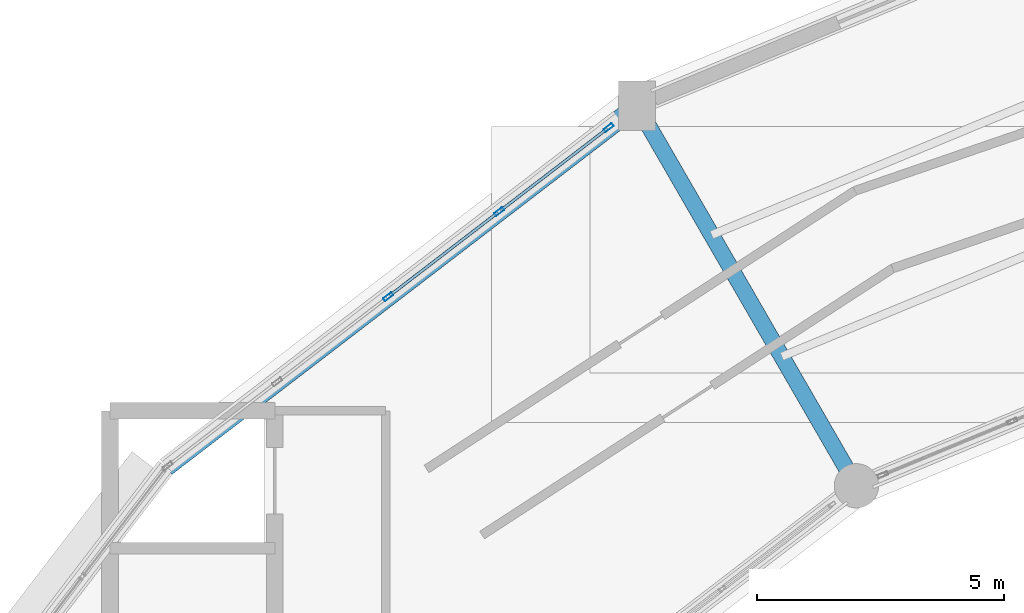
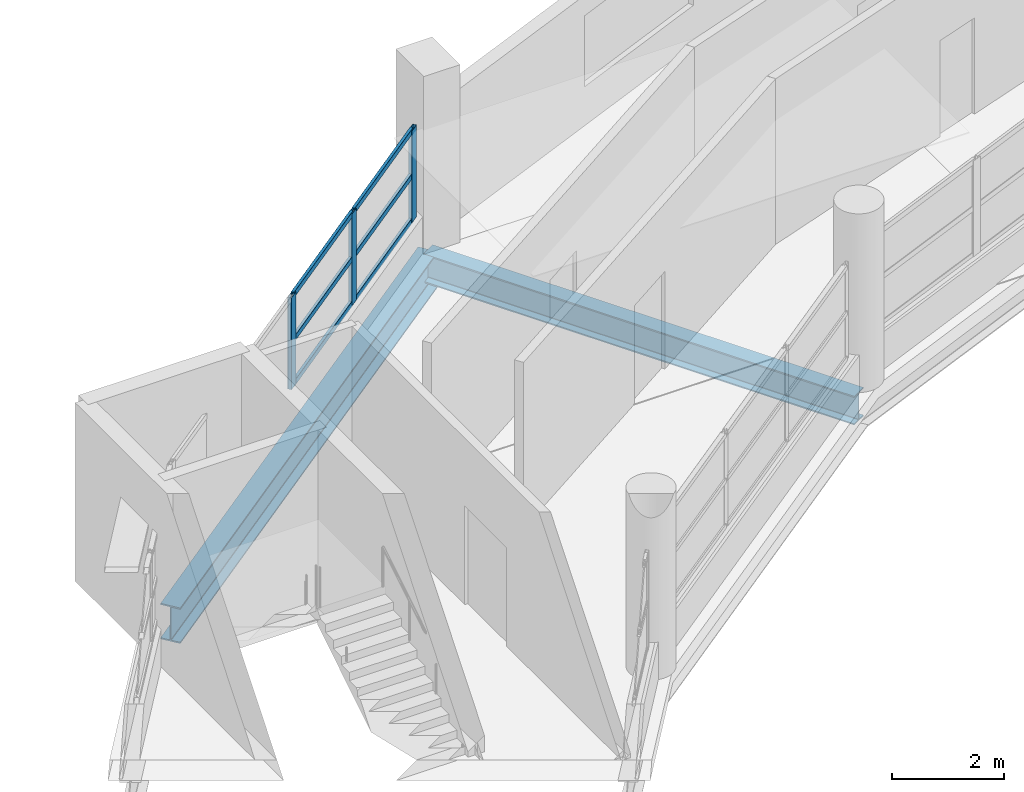
# One storey, part 40 of 88: 9 members, 2 beams, 1 element without a shape of its own.
"""IFC4 building model written with IfcOpenShell, lengths in metres."""

from ifc_helpers import new_model, si_unit, direction, frame, origin, origin_2d, place, context, subcontext, project, spatial, hollow_rectangle, i_section, extrude, material, layer, layer_set, material_profile, profile_set, type_object, element, aggregate, save


model = new_model("IFC4")

# Units and contexts
model_context = context("Model", 3, precision=1e-05, world=origin(), true_north=direction((0.0, 1.0)))
body_context = subcontext(model_context, "Body", "Model", "MODEL_VIEW")
ifc_project = project(units=[si_unit("LENGTHUNIT", "METRE"), si_unit("AREAUNIT", "SQUARE_METRE"), si_unit("VOLUMEUNIT", "CUBIC_METRE"), si_unit("PLANEANGLEUNIT", "RADIAN"), si_unit("MASSUNIT", "GRAM", prefix="KILO")], contexts=[model_context])

# Site, building, storey
site_placement = place(None, origin())
site = spatial("IfcSite", under=ifc_project, at=site_placement, CompositionType="ELEMENT")
building_placement = place(site_placement, origin())
building = spatial("IfcBuilding", under=site, at=building_placement, Name="Vespera Passage Community Centre", CompositionType="ELEMENT")
storey_placement = place(building_placement, frame((0.0, 0.0, 16.5)))
storey = spatial("IfcBuildingStorey", under=building, at=storey_placement, Name="L04", CompositionType="ELEMENT", Elevation=16.5)

# Beams
ifc_material_1 = material(Name="Steel ASTM A992 Grade 50", Category="steel")
ifc_material_profile_1 = material_profile(ifc_material_1, i_section(OverallWidth=0.32763671875, OverallDepth=0.62841796875, WebThickness=0.0166015625, FlangeThickness=0.027587890625, FilletRadius=0.0126953125, at=origin_2d()), Name="W24X146")
ifc_profile_set_1 = profile_set([ifc_material_profile_1], Name="Steel ASTM A992 Grade 50")
beam_type_1 = type_object("IfcBeamType", Name="BM-G-W24X146", PredefinedType="BEAM", material=ifc_profile_set_1)
beam_1_placement = place(storey_placement, frame((59.39990234375, 97.716064453125, -0.6142578125), z_axis=(-0.499989191739, 0.866031643847, 0.0), x_axis=(-0.866031643847, -0.499989191739, 0.0)))
element("IfcBeam", 1, at=beam_1_placement, inside=storey, type_object=beam_type_1, Name="V4 L04 Radial Girder 8", PredefinedType="BEAM", context=body_context, shape_type="SweptSolid", body=[
    extrude(i_section(OverallWidth=0.32763671875, OverallDepth=0.62841796875, WebThickness=0.0166015625, FlangeThickness=0.027587890625, FilletRadius=0.0126953125, at=origin_2d()), origin(), (0.0, 0.0, 1.0), 8.900146484375),
])
ifc_material_2 = material(Name="Steel ASTM A992 Grade 50", Category="steel")
ifc_material_profile_2 = material_profile(ifc_material_2, i_section(OverallWidth=0.382080078125, OverallDepth=0.779296875, WebThickness=0.01806640625, FlangeThickness=0.030029296875, FilletRadius=0.0166015625, at=origin_2d()), Name="W30X191")
ifc_profile_set_2 = profile_set([ifc_material_profile_2], Name="Steel ASTM A992 Grade 50")
beam_type_2 = type_object("IfcBeamType", Name="BM-SP-W30X191E", PredefinedType="SPANDREL", material=ifc_profile_set_2)
beam_2_placement = place(storey_placement, frame((54.949951171875, 105.423828125, -0.689697265625), z_axis=(-0.793351934501, -0.608763261066, 0.0), x_axis=(0.608763261066, -0.793351934501, 0.0)))
element("IfcBeam", 2, at=beam_2_placement, inside=storey, type_object=beam_type_2, Name="V4 L04 Outer Spandrel 8", PredefinedType="SPANDREL", context=body_context, shape_type="SweptSolid", body=[
    extrude(i_section(OverallWidth=0.382080078125, OverallDepth=0.779296875, WebThickness=0.01806640625, FlangeThickness=0.030029296875, FilletRadius=0.0166015625, at=origin_2d()), origin(), (0.0, 0.0, 1.0), 12.034423828125),
])

# Curtain wall, members
ifc_material_3 = material(Name="Anodized aluminium 6063-T6", Category="aluminium")
ifc_layer = layer(ifc_material_3, 0.159912109375)
ifc_layer_set = layer_set([ifc_layer], Name="Anodized aluminium 6063-T6")
curtain_wall_type = type_object("IfcCurtainWallType", Name="CW-60E", PredefinedType="NOTDEFINED", material=ifc_layer_set)
curtain_wall_placement = place(storey_placement, origin())
curtain_wall = element("IfcCurtainWall", 3, at=curtain_wall_placement, inside=storey, type_object=curtain_wall_type, Name="V4 L04 Outer Ribbon Curtain Wall 8", PredefinedType="NOTDEFINED")
ifc_material_4 = material(Name="Anodized aluminium 6063-T6", Category="aluminium")
ifc_material_profile_3 = material_profile(ifc_material_4, hollow_rectangle(XDim=0.074951171875, YDim=0.2099609375, WallThickness=0.0048828125, InnerFilletRadius=0.00244140625, OuterFilletRadius=0.0048828125, at=origin_2d()), Name="ALU210X75X5")
ifc_profile_set_3 = profile_set([ifc_material_profile_3], Name="Anodized aluminium 6063-T6")
member_type_1 = type_object("IfcMemberType", Name="MB-CWM-210E", PredefinedType="MULLION", material=ifc_profile_set_3)
member_1_placement = place(storey_placement, frame((49.9033203125, 101.551513671875, 0.820068359375), z_axis=(0.0, 0.0, 1.0), x_axis=(-0.608768221519, 0.793348128169, 0.0)))
member_1 = element("IfcMember", 4, at=member_1_placement, type_object=member_type_1, Name="CW-60E mullion 3", PredefinedType="MULLION", context=body_context, shape_type="SweptSolid", body=[
    extrude(hollow_rectangle(XDim=0.074951171875, YDim=0.2099609375, WallThickness=0.0048828125, InnerFilletRadius=0.00244140625, OuterFilletRadius=0.0048828125, at=origin_2d()), origin(), (0.0, 0.0, 1.0), 2.005615234375),
])
member_2_placement = place(storey_placement, frame((52.15380859375, 103.2783203125, 0.820068359375), z_axis=(0.0, 0.0, 1.0), x_axis=(-0.608768221519, 0.793348128169, 0.0)))
member_2 = element("IfcMember", 5, at=member_2_placement, type_object=member_type_1, Name="CW-60E mullion 4", PredefinedType="MULLION", context=body_context, shape_type="SweptSolid", body=[
    extrude(hollow_rectangle(XDim=0.074951171875, YDim=0.2099609375, WallThickness=0.0048828125, InnerFilletRadius=0.00244140625, OuterFilletRadius=0.0048828125, at=origin_2d()), origin(), (0.0, 0.0, 1.0), 2.005615234375),
])
member_3_placement = place(storey_placement, frame((54.374755859375, 104.982421875, 0.820068359375), z_axis=(0.0, 0.0, 1.0), x_axis=(-0.608768221519, 0.793348128169, 0.0)))
member_3 = element("IfcMember", 6, at=member_3_placement, type_object=member_type_1, Name="CW-60E mullion 5", PredefinedType="MULLION", context=body_context, shape_type="SweptSolid", body=[
    extrude(hollow_rectangle(XDim=0.074951171875, YDim=0.2099609375, WallThickness=0.0048828125, InnerFilletRadius=0.00244140625, OuterFilletRadius=0.0048828125, at=origin_2d()), origin(), (0.0, 0.0, 1.0), 2.005615234375),
])
ifc_material_5 = material(Name="Anodized aluminium 6063-T6", Category="aluminium")
ifc_material_profile_4 = material_profile(ifc_material_5, hollow_rectangle(XDim=0.06005859375, YDim=0.1201171875, WallThickness=0.00390625, InnerFilletRadius=0.001953125, OuterFilletRadius=0.00390625, at=origin_2d()), Name="ALU120X60X4")
ifc_profile_set_4 = profile_set([ifc_material_profile_4], Name="Anodized aluminium 6063-T6")
member_type_2 = type_object("IfcMemberType", Name="MB-CWT-120E", PredefinedType="USERDEFINED", material=ifc_profile_set_4)
member_4_placement = place(storey_placement, frame((49.93310546875, 101.57421875, 0.85009765625), z_axis=(0.793385774295, 0.60871915786, 0.0), x_axis=(-0.60871915786, 0.793385774295, 0.0)))
member_4 = element("IfcMember", 7, at=member_4_placement, type_object=member_type_2, Name="CW-60E transom 3.1", ObjectType="TRANSOM", PredefinedType="USERDEFINED", context=body_context, shape_type="SweptSolid", body=[
    extrude(hollow_rectangle(XDim=0.06005859375, YDim=0.1201171875, WallThickness=0.00390625, InnerFilletRadius=0.001953125, OuterFilletRadius=0.00390625, at=origin_2d()), origin(), (0.0, 0.0, 1.0), 2.76171875),
])
member_5_placement = place(storey_placement, frame((49.93310546875, 101.57421875, 1.82275390625), z_axis=(0.793385774295, 0.60871915786, 0.0), x_axis=(-0.60871915786, 0.793385774295, 0.0)))
member_5 = element("IfcMember", 8, at=member_5_placement, type_object=member_type_2, Name="CW-60E transom 3.2", ObjectType="TRANSOM", PredefinedType="USERDEFINED", context=body_context, shape_type="SweptSolid", body=[
    extrude(hollow_rectangle(XDim=0.06005859375, YDim=0.1201171875, WallThickness=0.00390625, InnerFilletRadius=0.001953125, OuterFilletRadius=0.00390625, at=origin_2d()), origin(), (0.0, 0.0, 1.0), 2.76171875),
])
member_6_placement = place(storey_placement, frame((49.93310546875, 101.57421875, 2.795654296875), z_axis=(0.793385774295, 0.60871915786, 0.0), x_axis=(-0.60871915786, 0.793385774295, 0.0)))
member_6 = element("IfcMember", 9, at=member_6_placement, type_object=member_type_2, Name="CW-60E transom 3.3", ObjectType="TRANSOM", PredefinedType="USERDEFINED", context=body_context, shape_type="SweptSolid", body=[
    extrude(hollow_rectangle(XDim=0.06005859375, YDim=0.1201171875, WallThickness=0.00390625, InnerFilletRadius=0.001953125, OuterFilletRadius=0.00390625, at=origin_2d()), origin(), (0.0, 0.0, 1.0), 2.76171875),
])
member_7_placement = place(storey_placement, frame((52.18359375, 103.301025390625, 0.85009765625), z_axis=(0.793359651626, 0.608753203829, 0.0), x_axis=(-0.608753203829, 0.793359651626, 0.0)))
member_7 = element("IfcMember", 10, at=member_7_placement, type_object=member_type_2, Name="CW-60E transom 4.1", ObjectType="TRANSOM", PredefinedType="USERDEFINED", context=body_context, shape_type="SweptSolid", body=[
    extrude(hollow_rectangle(XDim=0.06005859375, YDim=0.1201171875, WallThickness=0.00390625, InnerFilletRadius=0.001953125, OuterFilletRadius=0.00390625, at=origin_2d()), origin(), (0.0, 0.0, 1.0), 2.724365234375),
])
member_8_placement = place(storey_placement, frame((52.18359375, 103.301025390625, 1.82275390625), z_axis=(0.793359651626, 0.608753203829, 0.0), x_axis=(-0.608753203829, 0.793359651626, 0.0)))
member_8 = element("IfcMember", 11, at=member_8_placement, type_object=member_type_2, Name="CW-60E transom 4.2", ObjectType="TRANSOM", PredefinedType="USERDEFINED", context=body_context, shape_type="SweptSolid", body=[
    extrude(hollow_rectangle(XDim=0.06005859375, YDim=0.1201171875, WallThickness=0.00390625, InnerFilletRadius=0.001953125, OuterFilletRadius=0.00390625, at=origin_2d()), origin(), (0.0, 0.0, 1.0), 2.724365234375),
])
member_9_placement = place(storey_placement, frame((52.18359375, 103.301025390625, 2.795654296875), z_axis=(0.793359651626, 0.608753203829, 0.0), x_axis=(-0.608753203829, 0.793359651626, 0.0)))
member_9 = element("IfcMember", 12, at=member_9_placement, type_object=member_type_2, Name="CW-60E transom 4.3", ObjectType="TRANSOM", PredefinedType="USERDEFINED", context=body_context, shape_type="SweptSolid", body=[
    extrude(hollow_rectangle(XDim=0.06005859375, YDim=0.1201171875, WallThickness=0.00390625, InnerFilletRadius=0.001953125, OuterFilletRadius=0.00390625, at=origin_2d()), origin(), (0.0, 0.0, 1.0), 2.724365234375),
])
aggregate(curtain_wall, [member_1, member_2, member_3, member_4, member_5, member_6, member_7, member_8, member_9])

save(model, "model.ifc")
